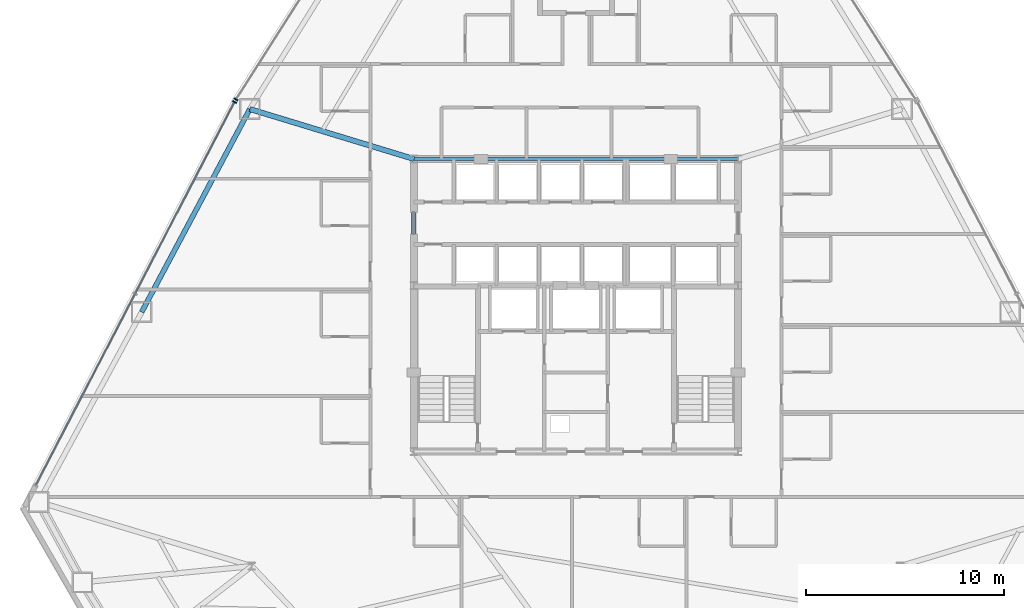
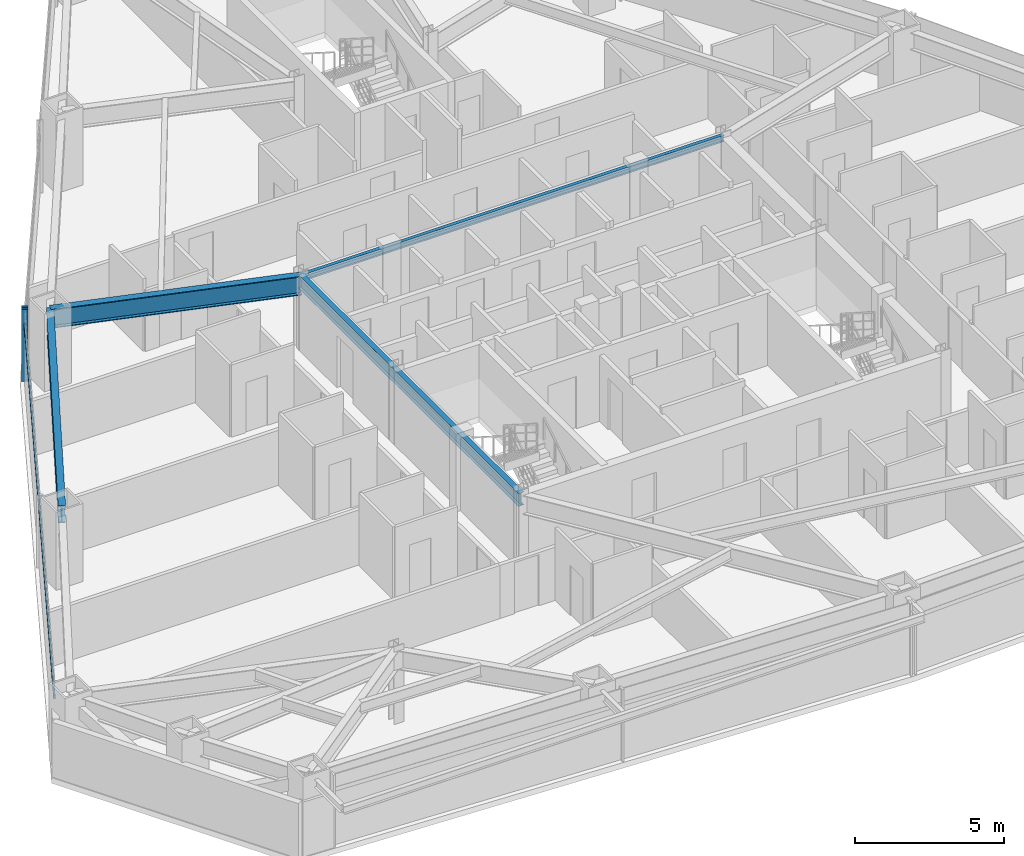
# One storey, part 5 of 13: 4 beams, 3 members, 2 elements without a shape of their own.
"""IFC4 building model written with IfcOpenShell, lengths in metres."""

import ifcopenshell
import ifcopenshell.guid

model = None  # the IFC model being written
_history = None  # IfcOwnerHistory: only IFC2X3 demands one
_inside = {}  # id of a spatial element -> (the spatial element, [elements in it])
_under = {}  # id of a project, library or spatial element -> (it, [spatial elements below it])
_declared = {}  # id of a project -> (the project, [libraries it declares])
_typed = {}  # id of a type object -> (the type object, [elements of that type])
_made_of = {}  # id of a material, layer set ... -> (it, [elements and type objects made of it])


def new_model(schema):
    """Start an empty IFC model of exactly this schema.

    Asked for "IFC4X3", IfcOpenShell would pick the latest addendum, in which some entities
    have other attributes; the version numbers below select the first issue.
    IFC2X3 requires an IfcOwnerHistory on every rooted entity: one is made here for all.
    """
    global model, _history
    if schema == "IFC4X3":
        model = ifcopenshell.file(schema_version=(4, 3, 0, 0))
    else:
        model = ifcopenshell.file(schema=schema)
    _inside.clear()
    _under.clear()
    _declared.clear()
    _typed.clear()
    _made_of.clear()
    _history = None
    if model.schema == "IFC2X3":
        org = make("IfcOrganization", Name="unknown")
        user = make(
            "IfcPersonAndOrganization",
            ThePerson=make("IfcPerson", FamilyName="unknown"),
            TheOrganization=org,
        )
        app = make(
            "IfcApplication",
            ApplicationDeveloper=org,
            Version="unknown",
            ApplicationFullName="unknown",
            ApplicationIdentifier="unknown",
        )
        _history = make(
            "IfcOwnerHistory",
            OwningUser=user,
            OwningApplication=app,
            ChangeAction="ADDED",
            CreationDate=0,
        )
    return model


def make(cls, **values):
    """One entity of the class cls with the attributes given. An attribute that is None is left unset."""
    return model.create_entity(
        cls, **{name: value for name, value in values.items() if value is not None}
    )


def rooted(cls, **values):
    """An entity with a GlobalId (a new one), such as an element, a storey or a relation."""
    return make(cls, GlobalId=ifcopenshell.guid.new(), OwnerHistory=_history, **values)


def si_unit(unit_type, name, prefix=None):
    """IfcSIUnit, for example si_unit("LENGTHUNIT", "METRE", prefix="MILLI")."""
    return make("IfcSIUnit", UnitType=unit_type, Prefix=prefix, Name=name)


def assignment(units):
    """IfcUnitAssignment: the units of a project."""
    return None if units is None else make("IfcUnitAssignment", Units=units)


def point(xyz):
    """IfcCartesianPoint."""
    return None if xyz is None else make("IfcCartesianPoint", Coordinates=xyz)


def direction(xyz):
    """IfcDirection."""
    return None if xyz is None else make("IfcDirection", DirectionRatios=xyz)


def frame(location, z_axis=None, x_axis=None):
    """IfcAxis2Placement3D, a coordinate frame: its origin and axes. An axis left out is left unset."""
    return make(
        "IfcAxis2Placement3D",
        Location=point(location),
        Axis=direction(z_axis),
        RefDirection=direction(x_axis),
    )


def frame_2d(location, x_axis=None):
    """IfcAxis2Placement2D, a coordinate frame in the plane: its origin and x axis."""
    return make(
        "IfcAxis2Placement2D", Location=point(location), RefDirection=direction(x_axis)
    )


def origin():
    """The frame at (0, 0, 0) with its axes left unset."""
    return frame((0.0, 0.0, 0.0))


def origin_2d():
    """The frame at (0, 0) in the plane with its x axis left unset."""
    return frame_2d((0.0, 0.0))


def place(relative_to, where):
    """IfcLocalPlacement: puts the frame where relative to a parent placement (None: the world)."""
    return make(
        "IfcLocalPlacement", PlacementRelTo=relative_to, RelativePlacement=where
    )


def context(
    kind, dimensions, precision=None, world=None, true_north=None, identifier=None
):
    """IfcGeometricRepresentationContext, for example the 3D "Model" context."""
    return make(
        "IfcGeometricRepresentationContext",
        ContextIdentifier=identifier,
        ContextType=kind,
        CoordinateSpaceDimension=dimensions,
        Precision=precision,
        WorldCoordinateSystem=world,
        TrueNorth=true_north,
    )


def subcontext(parent, identifier, kind, view, scale=None):
    """IfcGeometricRepresentationSubContext, for example "Body" below "Model"."""
    return make(
        "IfcGeometricRepresentationSubContext",
        ContextIdentifier=identifier,
        ContextType=kind,
        ParentContext=parent,
        TargetScale=scale,
        TargetView=view,
    )


def project(units=None, contexts=None):
    """IfcProject with its units and contexts."""
    return rooted(
        "IfcProject",
        Name="project",
        RepresentationContexts=contexts,
        UnitsInContext=assignment(units),
    )


def spatial(cls, under=None, at=None, **own):
    """A site, building, storey or space (cls), placed at a placement, below another one or the project."""
    s = rooted(cls, ObjectPlacement=at, **own)
    if under is not None:
        _under.setdefault(under.id(), (under, []))[1].append(s)
    return s


def profile(cls, at=None, kind="AREA", **sizes):
    """A parametric profile (cls). Its sizes go by their IFC names, for example OverallWidth=200.0."""
    return make(cls, ProfileType=kind, Position=at, **sizes)


def rectangle(**sizes):
    """IfcRectangleProfileDef."""
    return profile("IfcRectangleProfileDef", **sizes)


def i_section(**sizes):
    """IfcIShapeProfileDef."""
    return profile("IfcIShapeProfileDef", **sizes)


def extrude(swept, where, along, depth):
    """IfcExtrudedAreaSolid: the profile swept, set in the frame where, extruded along a direction by depth."""
    return make(
        "IfcExtrudedAreaSolid",
        SweptArea=swept,
        Position=where,
        ExtrudedDirection=direction(along),
        Depth=depth,
    )


def shape(context_of_items, identifier, shape_type, items):
    """IfcShapeRepresentation: the items that make up one representation, for example the "Body"."""
    return make(
        "IfcShapeRepresentation",
        ContextOfItems=context_of_items,
        RepresentationIdentifier=identifier,
        RepresentationType=shape_type,
        Items=items,
    )


def source(mapping_origin, context_of_items, identifier, shape_type, items):
    """IfcRepresentationMap: a shape defined once, which mapped items show again and again."""
    return make(
        "IfcRepresentationMap",
        MappingOrigin=mapping_origin,
        MappedRepresentation=shape(context_of_items, identifier, shape_type, items),
    )


def transform(
    local_origin,
    x_axis=None,
    y_axis=None,
    z_axis=None,
    scale=None,
    scale2=None,
    scale3=None,
    uniform=True,
):
    """IfcCartesianTransformationOperator3D, or its non-uniform kind. x_axis, y_axis, z_axis: its Axis1, 2, 3."""
    if uniform:
        return make(
            "IfcCartesianTransformationOperator3D",
            Axis1=direction(x_axis),
            Axis2=direction(y_axis),
            LocalOrigin=point(local_origin),
            Scale=scale,
            Axis3=direction(z_axis),
        )
    return make(
        "IfcCartesianTransformationOperator3DnonUniform",
        Axis1=direction(x_axis),
        Axis2=direction(y_axis),
        LocalOrigin=point(local_origin),
        Scale=scale,
        Axis3=direction(z_axis),
        Scale2=scale2,
        Scale3=scale3,
    )


def mapped(mapping_source, mapping_target):
    """IfcMappedItem: shows the shape of a source again, moved by a transform."""
    return make(
        "IfcMappedItem", MappingSource=mapping_source, MappingTarget=mapping_target
    )


def material(Name=None, Category=None):
    """IfcMaterial."""
    return make("IfcMaterial", Name=Name, Category=Category)


def layer(
    of_material, thickness, ventilated=None, Name=None, Category=None, Priority=None
):
    """IfcMaterialLayer: one layer of a wall or slab, of a material (None: an air gap)."""
    return make(
        "IfcMaterialLayer",
        Material=of_material,
        LayerThickness=thickness,
        IsVentilated=ventilated,
        Name=Name,
        Category=Category,
        Priority=Priority,
    )


def layer_set(layers, Name=None):
    """IfcMaterialLayerSet."""
    return make("IfcMaterialLayerSet", MaterialLayers=layers, LayerSetName=Name)


def material_profile(
    of_material, cross_section, Name=None, Category=None, Priority=None
):
    """IfcMaterialProfile: a cross section and its material."""
    return make(
        "IfcMaterialProfile",
        Name=Name,
        Material=of_material,
        Profile=cross_section,
        Priority=Priority,
        Category=Category,
    )


def profile_set(profiles, Name=None, composite=None):
    """IfcMaterialProfileSet."""
    return make(
        "IfcMaterialProfileSet",
        Name=Name,
        MaterialProfiles=profiles,
        CompositeProfile=composite,
    )


def made_of(thing, what):
    """Note that an element or type object is made of a material, layer set ...; save() writes the relation."""
    if what is not None:
        _made_of.setdefault(what.id(), (what, []))[1].append(thing)
    return thing


def type_object(cls, material=None, **own):
    """A type object (cls), such as IfcWallType, which elements share."""
    return made_of(rooted(cls, **own), material)


def type_shapes(of_type, sources):
    """Give a type object the sources (RepresentationMaps) that its elements show as mapped items."""
    of_type.RepresentationMaps = sources


def element(
    cls,
    number,
    at=None,
    inside=None,
    cuts=None,
    type_object=None,
    material=None,
    context=None,
    identifier="Body",
    shape_type=None,
    held_by="IfcProductDefinitionShape",
    body=None,
    shapes=None,
    **own,
):
    """One element of the class cls, such as IfcWall. Its Tag is "e" and its number.

    at: its placement. inside: the storey or other place that contains it. cuts: it is an
    opening in that element (IfcRelVoidsElement). A single representation is given by context,
    identifier, shape_type and body (its items); several are given by shapes. held_by: the class
    of the entity that holds the representations. save() writes the other relations.
    """
    e = rooted(cls, Tag="e%d" % number, ObjectPlacement=at, **own)
    if body is not None:
        shapes = [shape(context, identifier, shape_type, body)]
    if shapes is not None:
        e.Representation = make(held_by, Representations=shapes)
    if inside is not None:
        _inside.setdefault(inside.id(), (inside, []))[1].append(e)
    if cuts is not None:
        rooted(
            "IfcRelVoidsElement", RelatingBuildingElement=cuts, RelatedOpeningElement=e
        )
    if type_object is not None:
        _typed.setdefault(type_object.id(), (type_object, []))[1].append(e)
    return made_of(e, material)


def aggregate(whole, parts):
    """IfcRelAggregates: a whole, such as a stair, and the parts it consists of."""
    return rooted("IfcRelAggregates", RelatingObject=whole, RelatedObjects=parts)


def save(model, path):
    """Write the relations noted so far, then the file.

    IfcRelAggregates (storeys below a building ...), IfcRelContainedInSpatialStructure (elements
    in a storey), IfcRelDefinesByType, IfcRelAssociatesMaterial and IfcRelDeclares: one each for
    every whole, place, type object, material and project.
    """
    for whole, parts in _under.values():
        aggregate(whole, parts)
    for where, things in _inside.values():
        rooted(
            "IfcRelContainedInSpatialStructure",
            RelatedElements=things,
            RelatingStructure=where,
        )
    for kind, things in _typed.values():
        rooted("IfcRelDefinesByType", RelatedObjects=things, RelatingType=kind)
    for what, things in _made_of.values():
        rooted("IfcRelAssociatesMaterial", RelatedObjects=things, RelatingMaterial=what)
    for by, libraries in _declared.values():
        rooted("IfcRelDeclares", RelatingContext=by, RelatedDefinitions=libraries)
    model.write(path)


model = new_model("IFC4")

# Units and contexts
model_context = context("Model", 3, precision=1e-05, world=origin(), true_north=direction((0.0, 1.0)))
body_context = subcontext(model_context, "Body", "Model", "MODEL_VIEW")
ifc_project = project(units=[si_unit("LENGTHUNIT", "METRE"), si_unit("AREAUNIT", "SQUARE_METRE"), si_unit("VOLUMEUNIT", "CUBIC_METRE"), si_unit("PLANEANGLEUNIT", "RADIAN"), si_unit("MASSUNIT", "GRAM", prefix="KILO")], contexts=[model_context])

# Site, building, storey
site_placement = place(None, origin())
site = spatial("IfcSite", under=ifc_project, at=site_placement, CompositionType="ELEMENT")
building_placement = place(site_placement, origin())
building = spatial("IfcBuilding", under=site, at=building_placement, Name="Varakhsha Concourse Tower", CompositionType="ELEMENT")
storey_placement = place(building_placement, frame((0.0, 0.0, 89.39990234375)))
storey = spatial("IfcBuildingStorey", under=building, at=storey_placement, Name="L25", CompositionType="ELEMENT", Elevation=89.39990234375)

# Beams
ifc_material_1 = material(Name="Structural Steel ASTM A992 Grade 50", Category="steel")
ifc_material_profile_1 = material_profile(ifc_material_1, i_section(OverallWidth=0.26611328125, OverallDepth=0.779052734375, WebThickness=0.01708984375, FlangeThickness=0.030029296875, at=origin_2d()), Name="W30X148")
ifc_profile_set_1 = profile_set([ifc_material_profile_1], Name="Structural Steel ASTM A992 Grade 50")
beam_type_1 = type_object("IfcBeamType", Name="BM-BASE-W30X148", PredefinedType="USERDEFINED", material=ifc_profile_set_1)
beam_1_placement = place(storey_placement, frame((31.800048828125, 31.199951171875, 2.58056640625), z_axis=(-0.956697744709, 0.291083193036, 0.0), x_axis=(-0.291083193036, -0.956697744709, 0.0)))
element("IfcBeam", 1, at=beam_1_placement, inside=storey, type_object=beam_type_1, Name="L25 Radial Floor Girder 05", ObjectType="GIRDER", PredefinedType="USERDEFINED", context=body_context, shape_type="SweptSolid", body=[
    extrude(i_section(OverallWidth=0.26611328125, OverallDepth=0.779052734375, WebThickness=0.01708984375, FlangeThickness=0.030029296875, at=origin_2d()), origin(), (0.0, 0.0, 1.0), 8.671630859375),
])
ifc_material_profile_2 = material_profile(ifc_material_1, i_section(OverallWidth=0.14697265625, OverallDepth=0.261962890625, WebThickness=0.007080078125, FlangeThickness=0.010986328125, at=origin_2d()), Name="W10X26")
ifc_profile_set_2 = profile_set([ifc_material_profile_2], Name="Structural Steel ASTM A992 Grade 50")
beam_type_2 = type_object("IfcBeamType", Name="BM-LNTL-W10X26", PredefinedType="LINTEL", material=ifc_profile_set_2)
beam_2_placement = place(storey_placement, frame((31.800048828125, 31.199951171875, 2.839111328125), z_axis=(1.0, 0.0, 0.0), x_axis=(0.0, 1.0, 0.0)))
element("IfcBeam", 2, at=beam_2_placement, inside=storey, type_object=beam_type_2, Name="BM-TCORE-L25-CN", PredefinedType="LINTEL", context=body_context, shape_type="SweptSolid", body=[
    extrude(i_section(OverallWidth=0.14697265625, OverallDepth=0.261962890625, WebThickness=0.007080078125, FlangeThickness=0.010986328125, at=origin_2d()), origin(), (0.0, 0.0, 1.0), 16.39990234375),
])
ifc_material_profile_3 = material_profile(ifc_material_1, i_section(OverallWidth=0.2109375, OverallDepth=0.5390625, WebThickness=0.011962890625, FlangeThickness=0.01904296875, at=origin_2d()), Name="W21X73")
ifc_profile_set_3 = profile_set([ifc_material_profile_3], Name="Structural Steel ASTM A992 Grade 50")
beam_type_3 = type_object("IfcBeamType", Name="BM-RAD-W21X73", PredefinedType="BEAM", material=ifc_profile_set_3)
beam_3_placement = place(storey_placement, frame((31.800048828125, 16.39990234375, 2.70068359375), z_axis=(0.0, 1.0, 0.0), x_axis=(-1.0, 0.0, 0.0)))
element("IfcBeam", 3, at=beam_3_placement, inside=storey, type_object=beam_type_3, Name="BM-TCORE-L25-CW", PredefinedType="BEAM", context=body_context, shape_type="SweptSolid", body=[
    extrude(i_section(OverallWidth=0.2109375, OverallDepth=0.5390625, WebThickness=0.011962890625, FlangeThickness=0.01904296875, at=origin_2d()), origin(), (0.0, 0.0, 1.0), 14.800048828125),
])
ifc_material_profile_4 = material_profile(ifc_material_1, i_section(OverallWidth=0.25390625, OverallDepth=0.701904296875, WebThickness=0.014892578125, FlangeThickness=0.028076171875, at=origin_2d()), Name="W27X129")
ifc_profile_set_4 = profile_set([ifc_material_profile_4], Name="Structural Steel ASTM A992 Grade 50")
beam_type_4 = type_object("IfcBeamType", Name="BM-SPAN-W27X129", PredefinedType="SPANDREL", material=ifc_profile_set_4)
beam_4_placement = place(storey_placement, frame((23.50390625, 33.72412109375, 2.619140625), z_axis=(-0.470161283072, -0.882580516384, 0.0), x_axis=(0.882580516384, -0.470161283072, 0.0)))
element("IfcBeam", 4, at=beam_4_placement, inside=storey, type_object=beam_type_4, Name="BM-SPAN-L25-05", PredefinedType="SPANDREL", context=body_context, shape_type="SweptSolid", body=[
    extrude(i_section(OverallWidth=0.25390625, OverallDepth=0.701904296875, WebThickness=0.014892578125, FlangeThickness=0.028076171875, at=origin_2d()), origin(), (0.0, 0.0, 1.0), 11.6357421875),
])

# Curtain wall, member
ifc_material_2 = material(Name="Anodised Bronze Architectural Aluminium AA 6063-T6", Category="aluminium")
ifc_layer = layer(ifc_material_2, 0.199951171875, Name="CW-SYS-03")
ifc_layer_set = layer_set([ifc_layer], Name="Anodised Bronze Architectural Aluminium AA 6063-T6")
curtain_wall_type = type_object("IfcCurtainWallType", Name="CW-SYS-03", PredefinedType="NOTDEFINED", material=ifc_layer_set)
curtain_wall_1_placement = place(storey_placement, origin())
curtain_wall_1 = element("IfcCurtainWall", 5, at=curtain_wall_1_placement, inside=storey, type_object=curtain_wall_type, Name="L25 Crystal Curtain Wall F2", PredefinedType="NOTDEFINED")
ifc_material_profile_5 = material_profile(ifc_material_2, rectangle(XDim=0.074951171875, YDim=0.219970703125, at=origin_2d()), Name="CWM-220X75")
ifc_profile_set_5 = profile_set([ifc_material_profile_5], Name="Anodised Bronze Architectural Aluminium AA 6063-T6")
member_type_1 = type_object("IfcMemberType", Name="CWM-220X75", PredefinedType="MULLION", material=ifc_profile_set_5)
shared_shape_1 = source(origin(), body_context, "Body", "SweptSolid", [
    extrude(rectangle(XDim=0.074951171875, YDim=0.219970703125, at=origin_2d()), origin(), (0.0, 0.0, 1.0), 2.97021484375),
])
type_shapes(member_type_1, [shared_shape_1])
member_1_placement = place(storey_placement, frame((22.805419921875, 34.211181640625, 0.0), z_axis=(0.0, 0.0, 1.0), x_axis=(0.538786958833, 0.842442053195, 0.0)))
member_1 = element("IfcMember", 6, at=member_1_placement, type_object=member_type_1, Name="CW-L25-F2 Mullion 00", PredefinedType="MULLION", context=body_context, shape_type="MappedRepresentation", body=[
    mapped(shared_shape_1, transform((0.0, 0.0, 0.0), scale=1.0)),
])
aggregate(curtain_wall_1, [member_1])

# Curtain wall, members
curtain_wall_2_placement = place(storey_placement, origin())
curtain_wall_2 = element("IfcCurtainWall", 7, at=curtain_wall_2_placement, inside=storey, type_object=curtain_wall_type, Name="L25 Crystal Curtain Wall F3", PredefinedType="NOTDEFINED")
member_2_placement = place(storey_placement, frame((22.732666015625, 34.08544921875, 0.0), z_axis=(0.0, 0.0, 1.0), x_axis=(0.460185838956, 0.887822613828, 0.0)))
member_2 = element("IfcMember", 8, at=member_2_placement, type_object=member_type_1, Name="CW-L25-F3 Mullion 02", PredefinedType="MULLION", context=body_context, shape_type="MappedRepresentation", body=[
    mapped(shared_shape_1, transform((0.0, 0.0, 0.0), scale=1.0)),
])
ifc_material_profile_6 = material_profile(ifc_material_2, rectangle(XDim=0.06494140625, YDim=0.159912109375, at=origin_2d()), Name="CWT-160X65")
ifc_profile_set_6 = profile_set([ifc_material_profile_6], Name="Anodised Bronze Architectural Aluminium AA 6063-T6")
member_type_2 = type_object("IfcMemberType", Name="CWT-160X65", PredefinedType="USERDEFINED", material=ifc_profile_set_6)
shared_shape_2 = source(origin(), body_context, "Body", "SweptSolid", [
    extrude(rectangle(XDim=0.06494140625, YDim=0.159912109375, at=origin_2d()), origin(), (0.0, 0.0, 1.0), 21.861572265625),
])
type_shapes(member_type_2, [shared_shape_2])
member_3_placement = place(storey_placement, frame((12.672119140625, 14.67626953125, 2.320068359375), z_axis=(0.460191986848, 0.887819427159, 0.0), x_axis=(-0.887819427159, 0.460191986848, 0.0)))
member_3 = element("IfcMember", 9, at=member_3_placement, type_object=member_type_2, Name="CW-L25-F3 Transom 01", ObjectType="TRANSOM", PredefinedType="USERDEFINED", context=body_context, shape_type="MappedRepresentation", body=[
    mapped(shared_shape_2, transform((0.0, 0.0, 0.0), scale=1.0)),
])
aggregate(curtain_wall_2, [member_2, member_3])

save(model, "model.ifc")
